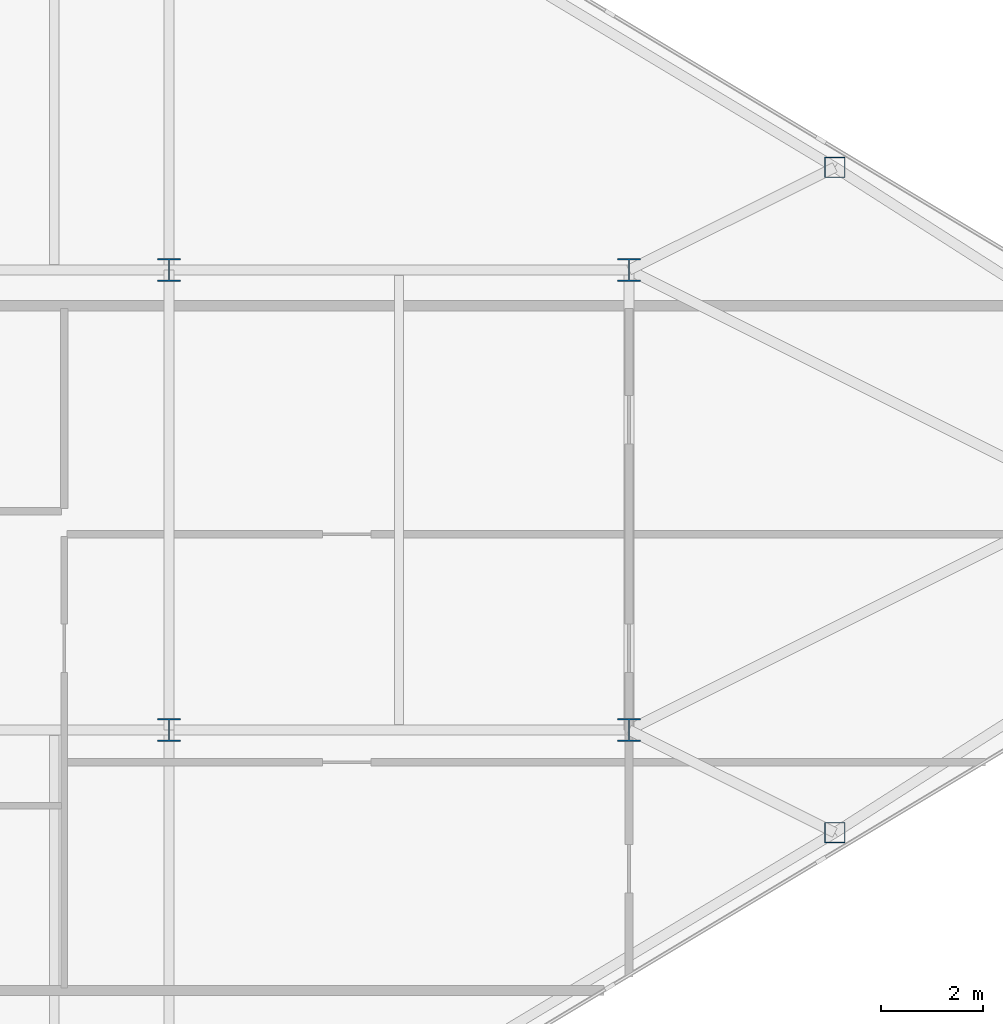
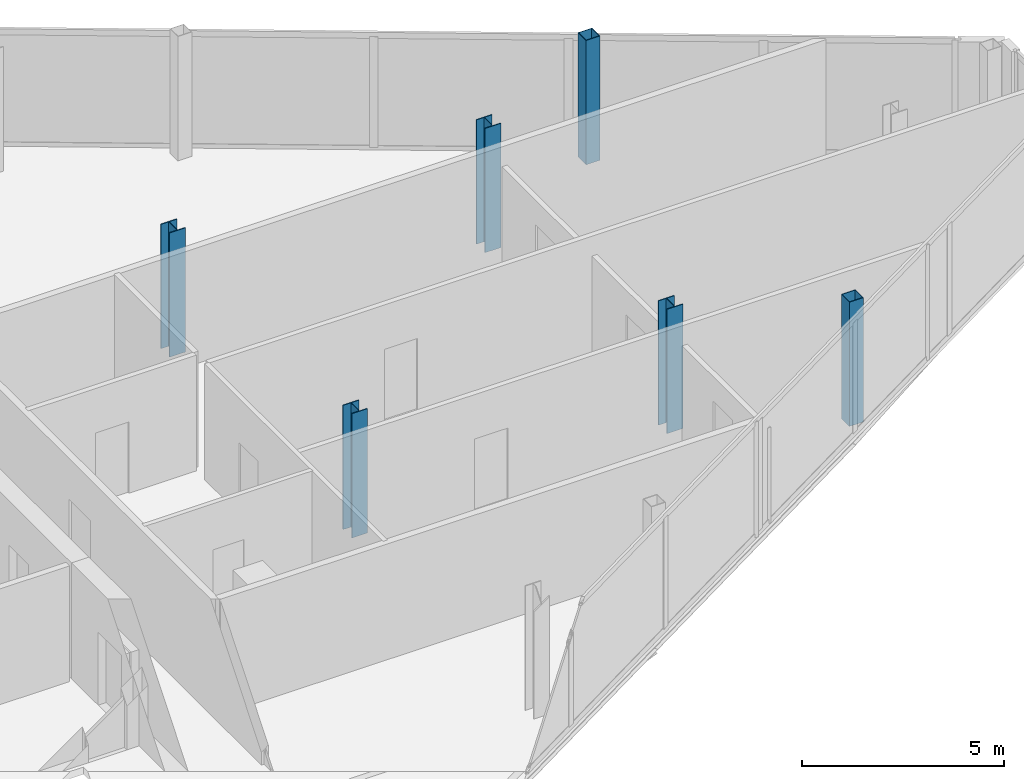
# One storey, part 5 of 28: 6 columns.
"""IFC4 building model written with IfcOpenShell, lengths in metres."""

from ifc_helpers import new_model, si_unit, direction, frame, origin, origin_2d, place, context, subcontext, project, spatial, hollow_rectangle, i_section, extrude, source, transform, mapped, material, material_profile, profile_set, type_object, type_shapes, element, save


model = new_model("IFC4")

# Units and contexts
model_context = context("Model", 3, precision=1e-05, world=origin(), true_north=direction((0.0, 1.0)))
body_context = subcontext(model_context, "Body", "Model", "MODEL_VIEW")
ifc_project = project(units=[si_unit("LENGTHUNIT", "METRE"), si_unit("AREAUNIT", "SQUARE_METRE"), si_unit("VOLUMEUNIT", "CUBIC_METRE"), si_unit("PLANEANGLEUNIT", "RADIAN"), si_unit("MASSUNIT", "GRAM", prefix="KILO")], contexts=[model_context])

# Site, building, storey
site_placement = place(None, origin())
site = spatial("IfcSite", under=ifc_project, at=site_placement, CompositionType="ELEMENT")
building_placement = place(site_placement, origin())
building = spatial("IfcBuilding", under=site, at=building_placement, Name="Seokmaru Belvedere", CompositionType="ELEMENT")
storey_placement = place(building_placement, frame((0.0, 0.0, 265.64990234375)))
storey = spatial("IfcBuildingStorey", under=building, at=storey_placement, Name="L70", CompositionType="ELEMENT", Elevation=265.64990234375)

# Columns
ifc_material = material(Name="Steel SM355 (355 MPa)", Category="steel")
ifc_material_profile_1 = material_profile(ifc_material, i_section(OverallWidth=0.449951171875, OverallDepth=0.449951171875, WebThickness=0.01611328125, FlangeThickness=0.02490234375, at=origin_2d()), Name="H-450x450x16x25")
ifc_profile_set_1 = profile_set([ifc_material_profile_1], Name="Steel SM355 (355 MPa)")
column_type_1 = type_object("IfcColumnType", Name="Sky-Gate Column H-450", PredefinedType="COLUMN", material=ifc_profile_set_1)
shared_shape_1 = source(origin(), body_context, "Body", "SweptSolid", [
    extrude(i_section(OverallWidth=0.449951171875, OverallDepth=0.449951171875, WebThickness=0.01611328125, FlangeThickness=0.02490234375, at=origin_2d()), origin(), (0.0, 0.0, 1.0), 3.75),
])
type_shapes(column_type_1, [shared_shape_1])
for number, where, z_axis, x_axis, name in (
    (1, (45.5, -4.5, 0.0), (0.0, 0.0, 1.0), (1.0, 0.0, 0.0), "L70 Column EG5_2"),
    (2, (45.5, 4.5, 0.0), (0.0, 0.0, 1.0), (1.0, 0.0, 0.0), "L70 Column EG5_3"),
    (3, (54.5, -4.5, 0.0), (0.0, 0.0, 1.0), (1.0, 0.0, 0.0), "L70 Column EG4P_1"),
    (4, (54.5, 4.5, 0.0), (0.0, 0.0, 1.0), (1.0, 0.0, 0.0), "L70 Column EG4P_2"),
):
    element("IfcColumn", number, at=place(storey_placement, frame(where, z_axis=z_axis, x_axis=x_axis)), inside=storey, type_object=column_type_1, Name=name, PredefinedType="COLUMN", context=body_context, shape_type="MappedRepresentation", body=[
        mapped(shared_shape_1, transform((0.0, 0.0, 0.0), scale=1.0)),
    ])
ifc_material_profile_2 = material_profile(ifc_material, hollow_rectangle(XDim=0.39990234375, YDim=0.39990234375, WallThickness=0.01611328125, at=origin_2d()), Name="HSS-400x400x16")
ifc_profile_set_2 = profile_set([ifc_material_profile_2], Name="Steel SM355 (355 MPa)")
column_type_2 = type_object("IfcColumnType", Name="Perimeter Facet Column HSS-400", PredefinedType="COLUMN", material=ifc_profile_set_2)
shared_shape_2 = source(origin(), body_context, "Body", "SweptSolid", [
    extrude(hollow_rectangle(XDim=0.39990234375, YDim=0.39990234375, WallThickness=0.01611328125, at=origin_2d()), origin(), (0.0, 0.0, 1.0), 3.75),
])
type_shapes(column_type_2, [shared_shape_2])
for number, where, z_axis, x_axis, name in (
    (5, (58.530029296875, -6.5087890625, 0.0), (0.0, 0.0, 1.0), (1.0, 0.0, 0.0), "L70 Column EFLK_S3"),
    (6, (58.530029296875, 6.5087890625, 0.0), (0.0, 0.0, 1.0), (1.0, 0.0, 0.0), "L70 Column EFLK_N3"),
):
    element("IfcColumn", number, at=place(storey_placement, frame(where, z_axis=z_axis, x_axis=x_axis)), inside=storey, type_object=column_type_2, Name=name, PredefinedType="COLUMN", context=body_context, shape_type="MappedRepresentation", body=[
        mapped(shared_shape_2, transform((0.0, 0.0, 0.0), scale=1.0)),
    ])

save(model, "model.ifc")
